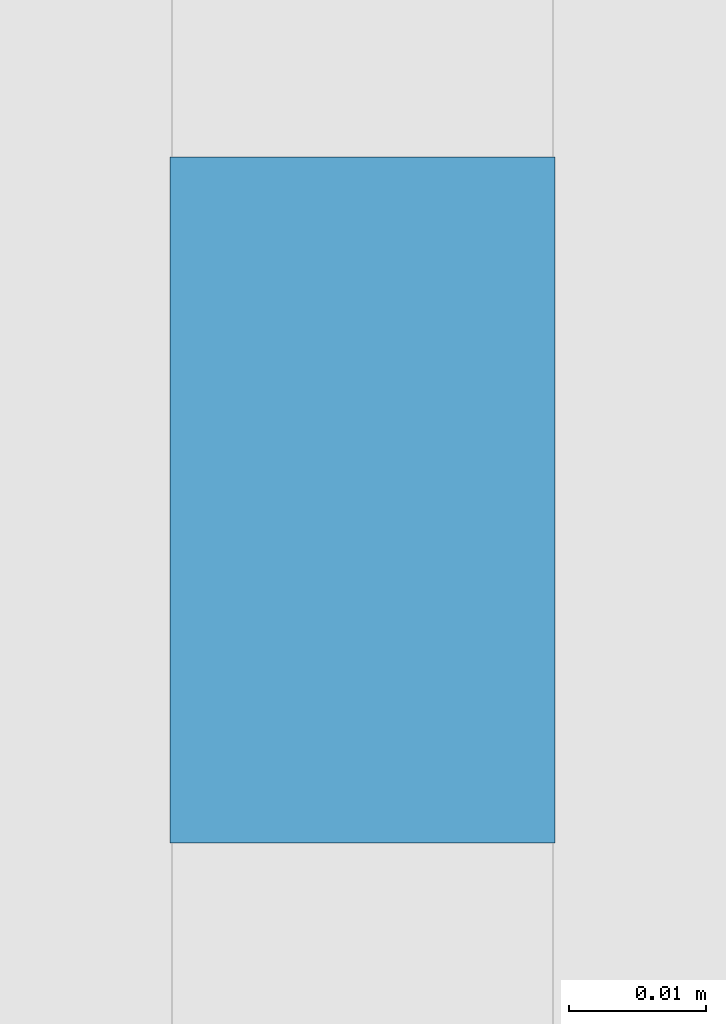
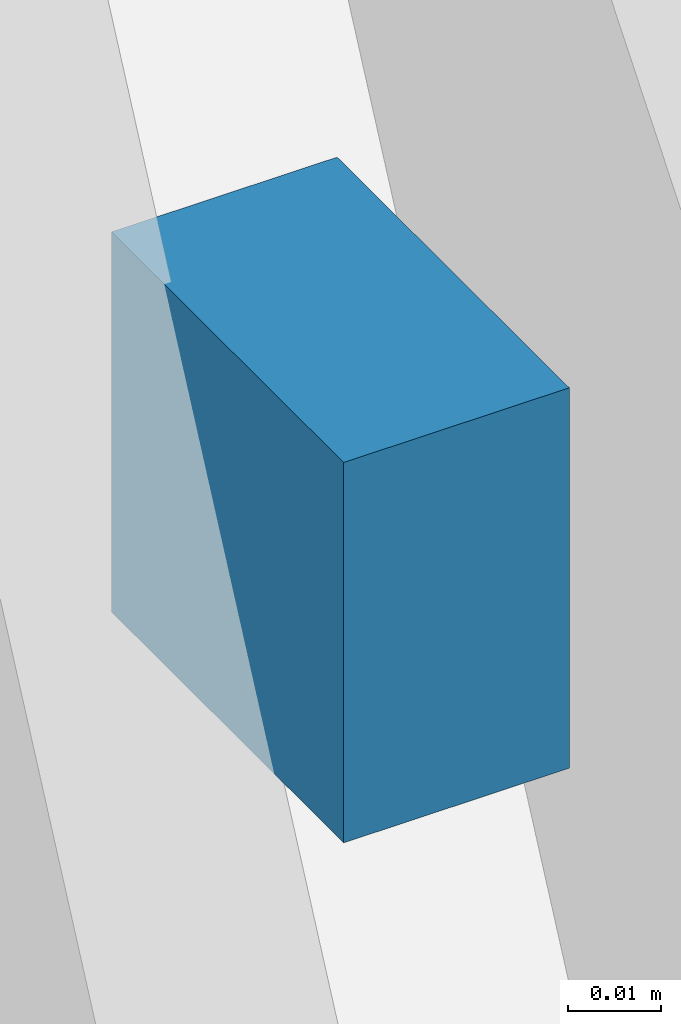
# One storey, part 17 of 26: 1 discrete accessory, 1 element without a shape of its own.
"""IFC4 building model written with IfcOpenShell, lengths in metres."""

from ifc_helpers import new_model, si_unit, direction, frame, origin, origin_2d, place, context, subcontext, project, spatial, rectangle, extrude, material, type_object, element, aggregate, save


model = new_model("IFC4")

# Units and contexts
model_context = context("Model", 3, precision=1e-05, world=origin(), true_north=direction((0.0, 1.0)))
body_context = subcontext(model_context, "Body", "Model", "MODEL_VIEW")
ifc_project = project(units=[si_unit("LENGTHUNIT", "METRE"), si_unit("AREAUNIT", "SQUARE_METRE"), si_unit("VOLUMEUNIT", "CUBIC_METRE"), si_unit("PLANEANGLEUNIT", "RADIAN"), si_unit("MASSUNIT", "GRAM", prefix="KILO")], contexts=[model_context])

# Site, building, storey
site_placement = place(None, origin())
site = spatial("IfcSite", under=ifc_project, at=site_placement, CompositionType="ELEMENT")
building_placement = place(site_placement, origin())
building = spatial("IfcBuilding", under=site, at=building_placement, Name="Tessera Arch", CompositionType="ELEMENT")
storey_placement = place(building_placement, frame((0.0, 0.0, 96.800048828125)))
storey = spatial("IfcBuildingStorey", under=building, at=storey_placement, Name="L22", CompositionType="ELEMENT", Elevation=96.800048828125)

# Curtain wall, discrete accessory
ifc_material = material(Name="CW3 curtain wall")
curtain_wall_type = type_object("IfcCurtainWallType", Name="CW3 curtain wall", PredefinedType="NOTDEFINED", material=ifc_material)
curtain_wall_placement = place(storey_placement, origin())
curtain_wall = element("IfcCurtainWall", 1, at=curtain_wall_placement, inside=storey, type_object=curtain_wall_type, Name="CW3 curtain wall W27.0/1 L22", PredefinedType="NOTDEFINED")
discrete_accessory_placement = place(storey_placement, frame((26.9560546875, 12.989013671875, 1.0537109375), z_axis=(0.0, 0.0, 1.0), x_axis=(0.0, -1.0, 0.0)))
discrete_accessory = element("IfcDiscreteAccessory", 2, at=discrete_accessory_placement, Name="Glazing bracket", PredefinedType="BRACKET", context=body_context, shape_type="SweptSolid", body=[
    extrude(rectangle(XDim=0.050048828125, YDim=0.028076171875, at=origin_2d()), origin(), (0.0, 0.0, 1.0), 0.050048828125),
])
aggregate(curtain_wall, [discrete_accessory])

save(model, "model.ifc")
